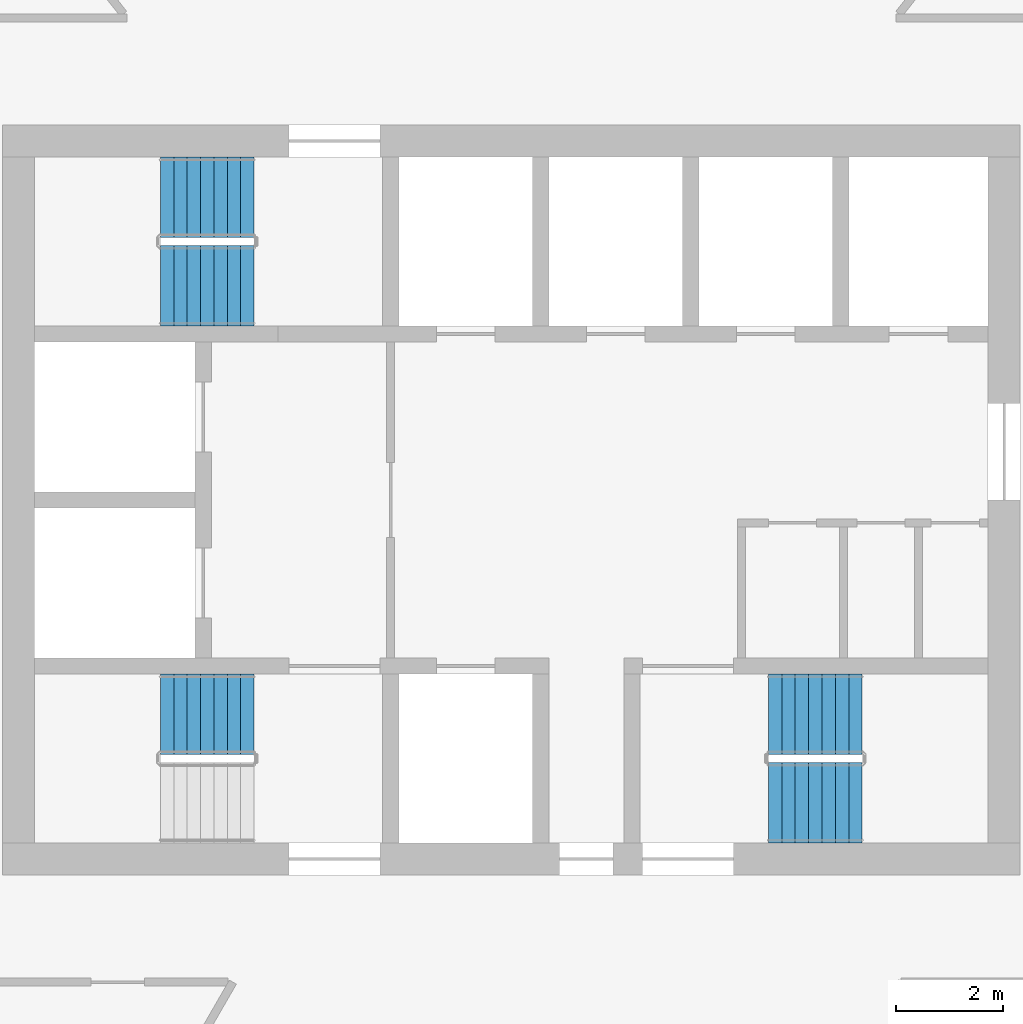
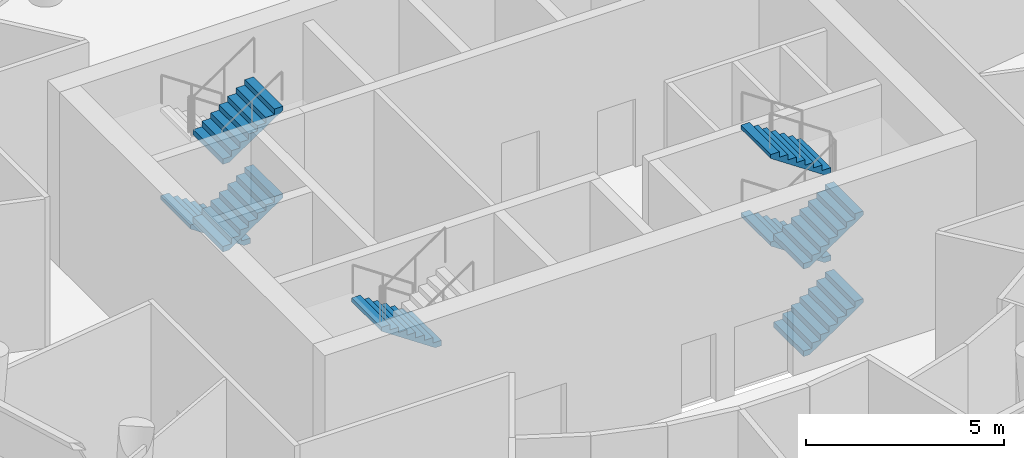
# One storey, part 8 of 11: 8 stair flights, 3 elements without a shape of their own.
"""IFC4 building model written with IfcOpenShell, lengths in metres."""

from ifc_helpers import new_model, si_unit, direction, frame, origin, place, context, subcontext, project, spatial, polyline, outline, extrude, material, type_object, element, aggregate, save


model = new_model("IFC4")

# Units and contexts
model_context = context("Model", 3, precision=1e-05, world=origin(), true_north=direction((0.0, 1.0)))
body_context = subcontext(model_context, "Body", "Model", "MODEL_VIEW")
ifc_project = project(units=[si_unit("LENGTHUNIT", "METRE"), si_unit("AREAUNIT", "SQUARE_METRE"), si_unit("VOLUMEUNIT", "CUBIC_METRE"), si_unit("PLANEANGLEUNIT", "RADIAN"), si_unit("MASSUNIT", "GRAM", prefix="KILO")], contexts=[model_context])

# Site, building, storey
site_placement = place(None, origin())
site = spatial("IfcSite", under=ifc_project, at=site_placement, CompositionType="ELEMENT")
building_placement = place(site_placement, origin())
building = spatial("IfcBuilding", under=site, at=building_placement, Name="Tracery Tower", CompositionType="ELEMENT")
storey_placement = place(building_placement, frame((0.0, 0.0, 346.800048828125)))
storey = spatial("IfcBuildingStorey", under=building, at=storey_placement, Name="L89", CompositionType="ELEMENT", Elevation=346.800048828125)

# Stair, stair flight
ifc_material_1 = material(Name="Concrete C32/40", Category="concrete")
stair_type = type_object("IfcStairType", Name="Core stair 32 risers", PredefinedType="HALF_TURN_STAIR", material=ifc_material_1)
stair_1_placement = place(storey_placement, origin())
stair_1 = element("IfcStair", 1, at=stair_1_placement, inside=storey, type_object=stair_type, Name="L89 stair ST1", PredefinedType="HALF_TURN_STAIR")
ifc_material_2 = material(Name="Concrete C32/40", Category="concrete")
stair_flight_type = type_object("IfcStairFlightType", Name="Core stair flight 8 risers", PredefinedType="STRAIGHT", material=ifc_material_2)
stair_flight_1_placement = place(storey_placement, frame((-4.800048828125, -4.0, 2.699951171875), z_axis=(0.0, 0.0, 1.0), x_axis=(-1.0, 0.0, 0.0)))
stair_flight_1 = element("IfcStairFlight", 2, at=stair_flight_1_placement, type_object=stair_flight_type, Name="ST1 flight 3", NumberOfRisers=8, NumberOfTreads=7, PredefinedType="STRAIGHT", RiserHeight=0.16875, TreadLength=0.25, context=body_context, shape_type="SweptSolid", body=[
    extrude(outline(polyline([(0.0, 0.0), (0.0, 0.002685546875), (0.0, 0.005615234375), (0.0, 0.00830078125), (0.0, 0.010986328125), (0.0, 0.013916015625), (0.0, 0.0166015625), (0.0, 0.019287109375), (0.0, 0.022216796875), (0.0, 0.02490234375), (0.0, 0.027587890625), (0.0, 0.030517578125), (0.0, 0.033203125), (0.0, 0.035888671875), (0.0, 0.038818359375), (0.0, 0.04150390625), (0.0, 0.044189453125), (0.0, 0.047119140625), (0.0, 0.0498046875), (0.0, 0.052490234375), (0.0, 0.055419921875), (0.0, 0.05810546875), (0.0, 0.060791015625), (0.0, 0.063720703125), (0.0, 0.06640625), (0.0, 0.069091796875), (0.0, 0.072021484375), (0.0, 0.07470703125), (0.0, 0.077392578125), (0.0, 0.080322265625), (0.0, 0.0830078125), (0.0, 0.085693359375), (0.0, 0.088623046875), (0.0, 0.09130859375), (0.0, 0.093994140625), (0.0, 0.096923828125), (0.0, 0.099609375), (0.0, 0.102294921875), (0.0, 0.105224609375), (0.0, 0.10791015625), (0.0, 0.110595703125), (0.0, 0.113525390625), (0.0, 0.1162109375), (0.0, 0.118896484375), (0.0, 0.121826171875), (0.0, 0.12451171875), (0.0, 0.127197265625), (0.0, 0.130126953125), (0.0, 0.1328125), (0.0, 0.135498046875), (0.0, 0.138427734375), (0.0, 0.14111328125), (0.0, 0.143798828125), (0.0, 0.146728515625), (0.0, 0.1494140625), (0.0, 0.152099609375), (0.0, 0.155029296875), (0.0, 0.15771484375), (0.0, 0.160400390625), (0.0, 0.163330078125), (0.0, 0.166015625), (0.0, 0.168701171875), (0.25, 0.168701171875), (0.25, 0.33740234375), (0.5, 0.33740234375), (0.5, 0.50634765625), (0.75, 0.50634765625), (0.75, 0.675048828125), (1.0, 0.675048828125), (1.0, 0.84375), (1.25, 0.84375), (1.25, 1.012451171875), (1.5, 1.012451171875), (1.5, 1.18115234375), (1.75, 1.18115234375), (1.75, 1.17919921875), (1.75, 1.17724609375), (1.75, 1.17529296875), (1.75, 1.17333984375), (1.75, 1.17138671875), (1.75, 1.16943359375), (1.75, 1.16748046875), (1.75, 1.16552734375), (1.75, 1.163330078125), (1.75, 1.161376953125), (1.75, 1.159423828125), (1.75, 1.157470703125), (1.75, 1.155517578125), (1.75, 1.153564453125), (1.75, 1.151611328125), (1.75, 1.149658203125), (1.75, 1.147705078125), (1.75, 1.1455078125), (1.75, 1.1435546875), (1.75, 1.1416015625), (1.75, 1.1396484375), (1.75, 1.1376953125), (1.75, 1.1357421875), (1.75, 1.1337890625), (1.75, 1.1318359375), (1.75, 1.1298828125), (1.75, 1.127685546875), (1.75, 1.125732421875), (1.75, 1.123779296875), (1.75, 1.121826171875), (1.75, 1.119873046875), (1.75, 1.117919921875), (1.75, 1.115966796875), (1.75, 1.114013671875), (1.75, 1.112060546875), (1.75, 1.10986328125), (1.75, 1.10791015625), (1.75, 1.10595703125), (1.75, 1.10400390625), (1.75, 1.10205078125), (1.75, 1.10009765625), (1.75, 1.09814453125), (1.75, 1.09619140625), (1.75, 1.09423828125), (1.75, 1.092041015625), (1.75, 1.090087890625), (1.75, 1.088134765625), (1.75, 1.086181640625), (1.75, 1.084228515625), (1.75, 1.082275390625), (1.75, 1.080322265625), (1.75, 1.078369140625), (1.75, 1.076416015625), (1.75, 1.074462890625), (1.75, 1.072265625), (1.75, 1.0703125), (1.75, 1.068359375), (1.75, 1.06640625), (1.75, 1.064453125), (1.75, 1.0625), (1.75, 1.060546875), (0.178955078125, 0.0), (0.0, 0.0)])), frame((0.0, 0.75, 0.0), z_axis=(0.0, -1.0, 0.0), x_axis=(1.0, 0.0, 0.0)), (0.0, 0.0, 1.0), 1.5),
])
aggregate(stair_1, [stair_flight_1])

# Stair, stair flights
stair_2_placement = place(storey_placement, origin())
stair_2 = element("IfcStair", 3, at=stair_2_placement, inside=storey, type_object=stair_type, Name="L89 stair ST3", PredefinedType="HALF_TURN_STAIR")
stair_flight_2_placement = place(storey_placement, frame((-4.800048828125, 5.64990234375, 0.0), z_axis=(0.0, 0.0, 1.0), x_axis=(-1.0, 0.0, 0.0)))
stair_flight_2 = element("IfcStairFlight", 4, at=stair_flight_2_placement, type_object=stair_flight_type, Name="ST3 flight 1", NumberOfRisers=8, NumberOfTreads=7, PredefinedType="STRAIGHT", RiserHeight=0.16875, TreadLength=0.25, context=body_context, shape_type="SweptSolid", body=[
    extrude(outline(polyline([(0.0, 0.0), (0.0, 0.002685546875), (0.0, 0.005615234375), (0.0, 0.00830078125), (0.0, 0.010986328125), (0.0, 0.013916015625), (0.0, 0.0166015625), (0.0, 0.019287109375), (0.0, 0.022216796875), (0.0, 0.02490234375), (0.0, 0.027587890625), (0.0, 0.030517578125), (0.0, 0.033203125), (0.0, 0.035888671875), (0.0, 0.038818359375), (0.0, 0.04150390625), (0.0, 0.044189453125), (0.0, 0.047119140625), (0.0, 0.0498046875), (0.0, 0.052490234375), (0.0, 0.055419921875), (0.0, 0.05810546875), (0.0, 0.060791015625), (0.0, 0.063720703125), (0.0, 0.06640625), (0.0, 0.069091796875), (0.0, 0.072021484375), (0.0, 0.07470703125), (0.0, 0.077392578125), (0.0, 0.080322265625), (0.0, 0.0830078125), (0.0, 0.085693359375), (0.0, 0.088623046875), (0.0, 0.09130859375), (0.0, 0.093994140625), (0.0, 0.096923828125), (0.0, 0.099609375), (0.0, 0.102294921875), (0.0, 0.105224609375), (0.0, 0.10791015625), (0.0, 0.110595703125), (0.0, 0.113525390625), (0.0, 0.1162109375), (0.0, 0.118896484375), (0.0, 0.121826171875), (0.0, 0.12451171875), (0.0, 0.127197265625), (0.0, 0.130126953125), (0.0, 0.1328125), (0.0, 0.135498046875), (0.0, 0.138427734375), (0.0, 0.14111328125), (0.0, 0.143798828125), (0.0, 0.146728515625), (0.0, 0.1494140625), (0.0, 0.152099609375), (0.0, 0.155029296875), (0.0, 0.15771484375), (0.0, 0.160400390625), (0.0, 0.163330078125), (0.0, 0.166015625), (0.0, 0.168701171875), (0.25, 0.168701171875), (0.25, 0.33740234375), (0.5, 0.33740234375), (0.5, 0.50634765625), (0.75, 0.50634765625), (0.75, 0.675048828125), (1.0, 0.675048828125), (1.0, 0.84375), (1.25, 0.84375), (1.25, 1.012451171875), (1.5, 1.012451171875), (1.5, 1.18115234375), (1.75, 1.18115234375), (1.75, 1.17919921875), (1.75, 1.17724609375), (1.75, 1.17529296875), (1.75, 1.17333984375), (1.75, 1.17138671875), (1.75, 1.16943359375), (1.75, 1.16748046875), (1.75, 1.16552734375), (1.75, 1.163330078125), (1.75, 1.161376953125), (1.75, 1.159423828125), (1.75, 1.157470703125), (1.75, 1.155517578125), (1.75, 1.153564453125), (1.75, 1.151611328125), (1.75, 1.149658203125), (1.75, 1.147705078125), (1.75, 1.1455078125), (1.75, 1.1435546875), (1.75, 1.1416015625), (1.75, 1.1396484375), (1.75, 1.1376953125), (1.75, 1.1357421875), (1.75, 1.1337890625), (1.75, 1.1318359375), (1.75, 1.1298828125), (1.75, 1.127685546875), (1.75, 1.125732421875), (1.75, 1.123779296875), (1.75, 1.121826171875), (1.75, 1.119873046875), (1.75, 1.117919921875), (1.75, 1.115966796875), (1.75, 1.114013671875), (1.75, 1.112060546875), (1.75, 1.10986328125), (1.75, 1.10791015625), (1.75, 1.10595703125), (1.75, 1.10400390625), (1.75, 1.10205078125), (1.75, 1.10009765625), (1.75, 1.09814453125), (1.75, 1.09619140625), (1.75, 1.09423828125), (1.75, 1.092041015625), (1.75, 1.090087890625), (1.75, 1.088134765625), (1.75, 1.086181640625), (1.75, 1.084228515625), (1.75, 1.082275390625), (1.75, 1.080322265625), (1.75, 1.078369140625), (1.75, 1.076416015625), (1.75, 1.074462890625), (1.75, 1.072265625), (1.75, 1.0703125), (1.75, 1.068359375), (1.75, 1.06640625), (1.75, 1.064453125), (1.75, 1.0625), (1.75, 1.060546875), (0.178955078125, 0.0), (0.0, 0.0)])), frame((0.0, 0.75, 0.0), z_axis=(0.0, -1.0, 0.0), x_axis=(1.0, 0.0, 0.0)), (0.0, 0.0, 1.0), 1.5),
])
stair_flight_3_placement = place(storey_placement, frame((-6.550048828125, 4.0, 1.349853515625), z_axis=(0.0, 0.0, 1.0), x_axis=(1.0, 0.0, 0.0)))
stair_flight_3 = element("IfcStairFlight", 5, at=stair_flight_3_placement, type_object=stair_flight_type, Name="ST3 flight 2", NumberOfRisers=8, NumberOfTreads=7, PredefinedType="STRAIGHT", RiserHeight=0.16875, TreadLength=0.25, context=body_context, shape_type="SweptSolid", body=[
    extrude(outline(polyline([(0.0, 0.0), (0.0, 0.002685546875), (0.0, 0.005615234375), (0.0, 0.00830078125), (0.0, 0.010986328125), (0.0, 0.013916015625), (0.0, 0.0166015625), (0.0, 0.019287109375), (0.0, 0.022216796875), (0.0, 0.02490234375), (0.0, 0.027587890625), (0.0, 0.030517578125), (0.0, 0.033203125), (0.0, 0.035888671875), (0.0, 0.038818359375), (0.0, 0.04150390625), (0.0, 0.044189453125), (0.0, 0.047119140625), (0.0, 0.0498046875), (0.0, 0.052490234375), (0.0, 0.055419921875), (0.0, 0.05810546875), (0.0, 0.060791015625), (0.0, 0.063720703125), (0.0, 0.06640625), (0.0, 0.069091796875), (0.0, 0.072021484375), (0.0, 0.07470703125), (0.0, 0.077392578125), (0.0, 0.080322265625), (0.0, 0.0830078125), (0.0, 0.085693359375), (0.0, 0.088623046875), (0.0, 0.09130859375), (0.0, 0.093994140625), (0.0, 0.096923828125), (0.0, 0.099609375), (0.0, 0.102294921875), (0.0, 0.105224609375), (0.0, 0.10791015625), (0.0, 0.110595703125), (0.0, 0.113525390625), (0.0, 0.1162109375), (0.0, 0.118896484375), (0.0, 0.121826171875), (0.0, 0.12451171875), (0.0, 0.127197265625), (0.0, 0.130126953125), (0.0, 0.1328125), (0.0, 0.135498046875), (0.0, 0.138427734375), (0.0, 0.14111328125), (0.0, 0.143798828125), (0.0, 0.146728515625), (0.0, 0.1494140625), (0.0, 0.152099609375), (0.0, 0.155029296875), (0.0, 0.15771484375), (0.0, 0.160400390625), (0.0, 0.163330078125), (0.0, 0.166015625), (0.0, 0.168701171875), (0.25, 0.168701171875), (0.25, 0.33740234375), (0.5, 0.33740234375), (0.5, 0.50634765625), (0.75, 0.50634765625), (0.75, 0.675048828125), (1.0, 0.675048828125), (1.0, 0.84375), (1.25, 0.84375), (1.25, 1.012451171875), (1.5, 1.012451171875), (1.5, 1.18115234375), (1.75, 1.18115234375), (1.75, 1.17919921875), (1.75, 1.17724609375), (1.75, 1.17529296875), (1.75, 1.17333984375), (1.75, 1.17138671875), (1.75, 1.16943359375), (1.75, 1.16748046875), (1.75, 1.16552734375), (1.75, 1.163330078125), (1.75, 1.161376953125), (1.75, 1.159423828125), (1.75, 1.157470703125), (1.75, 1.155517578125), (1.75, 1.153564453125), (1.75, 1.151611328125), (1.75, 1.149658203125), (1.75, 1.147705078125), (1.75, 1.1455078125), (1.75, 1.1435546875), (1.75, 1.1416015625), (1.75, 1.1396484375), (1.75, 1.1376953125), (1.75, 1.1357421875), (1.75, 1.1337890625), (1.75, 1.1318359375), (1.75, 1.1298828125), (1.75, 1.127685546875), (1.75, 1.125732421875), (1.75, 1.123779296875), (1.75, 1.121826171875), (1.75, 1.119873046875), (1.75, 1.117919921875), (1.75, 1.115966796875), (1.75, 1.114013671875), (1.75, 1.112060546875), (1.75, 1.10986328125), (1.75, 1.10791015625), (1.75, 1.10595703125), (1.75, 1.10400390625), (1.75, 1.10205078125), (1.75, 1.10009765625), (1.75, 1.09814453125), (1.75, 1.09619140625), (1.75, 1.09423828125), (1.75, 1.092041015625), (1.75, 1.090087890625), (1.75, 1.088134765625), (1.75, 1.086181640625), (1.75, 1.084228515625), (1.75, 1.082275390625), (1.75, 1.080322265625), (1.75, 1.078369140625), (1.75, 1.076416015625), (1.75, 1.074462890625), (1.75, 1.072265625), (1.75, 1.0703125), (1.75, 1.068359375), (1.75, 1.06640625), (1.75, 1.064453125), (1.75, 1.0625), (1.75, 1.060546875), (0.178955078125, 0.0), (0.0, 0.0)])), frame((0.0, 0.75, 0.0), z_axis=(0.0, -1.0, 0.0), x_axis=(1.0, 0.0, 0.0)), (0.0, 0.0, 1.0), 1.5),
])
stair_flight_4_placement = place(storey_placement, frame((-6.550048828125, 4.0, 4.050048828125), z_axis=(0.0, 0.0, 1.0), x_axis=(1.0, 0.0, 0.0)))
stair_flight_4 = element("IfcStairFlight", 6, at=stair_flight_4_placement, type_object=stair_flight_type, Name="ST3 flight 4", NumberOfRisers=8, NumberOfTreads=7, PredefinedType="STRAIGHT", RiserHeight=0.16875, TreadLength=0.25, context=body_context, shape_type="SweptSolid", body=[
    extrude(outline(polyline([(0.0, 0.0), (0.0, 0.002685546875), (0.0, 0.005615234375), (0.0, 0.00830078125), (0.0, 0.010986328125), (0.0, 0.013916015625), (0.0, 0.0166015625), (0.0, 0.019287109375), (0.0, 0.022216796875), (0.0, 0.02490234375), (0.0, 0.027587890625), (0.0, 0.030517578125), (0.0, 0.033203125), (0.0, 0.035888671875), (0.0, 0.038818359375), (0.0, 0.04150390625), (0.0, 0.044189453125), (0.0, 0.047119140625), (0.0, 0.0498046875), (0.0, 0.052490234375), (0.0, 0.055419921875), (0.0, 0.05810546875), (0.0, 0.060791015625), (0.0, 0.063720703125), (0.0, 0.06640625), (0.0, 0.069091796875), (0.0, 0.072021484375), (0.0, 0.07470703125), (0.0, 0.077392578125), (0.0, 0.080322265625), (0.0, 0.0830078125), (0.0, 0.085693359375), (0.0, 0.088623046875), (0.0, 0.09130859375), (0.0, 0.093994140625), (0.0, 0.096923828125), (0.0, 0.099609375), (0.0, 0.102294921875), (0.0, 0.105224609375), (0.0, 0.10791015625), (0.0, 0.110595703125), (0.0, 0.113525390625), (0.0, 0.1162109375), (0.0, 0.118896484375), (0.0, 0.121826171875), (0.0, 0.12451171875), (0.0, 0.127197265625), (0.0, 0.130126953125), (0.0, 0.1328125), (0.0, 0.135498046875), (0.0, 0.138427734375), (0.0, 0.14111328125), (0.0, 0.143798828125), (0.0, 0.146728515625), (0.0, 0.1494140625), (0.0, 0.152099609375), (0.0, 0.155029296875), (0.0, 0.15771484375), (0.0, 0.160400390625), (0.0, 0.163330078125), (0.0, 0.166015625), (0.0, 0.168701171875), (0.25, 0.168701171875), (0.25, 0.33740234375), (0.5, 0.33740234375), (0.5, 0.50634765625), (0.75, 0.50634765625), (0.75, 0.675048828125), (1.0, 0.675048828125), (1.0, 0.84375), (1.25, 0.84375), (1.25, 1.012451171875), (1.5, 1.012451171875), (1.5, 1.18115234375), (1.75, 1.18115234375), (1.75, 1.17919921875), (1.75, 1.17724609375), (1.75, 1.17529296875), (1.75, 1.17333984375), (1.75, 1.17138671875), (1.75, 1.16943359375), (1.75, 1.16748046875), (1.75, 1.16552734375), (1.75, 1.163330078125), (1.75, 1.161376953125), (1.75, 1.159423828125), (1.75, 1.157470703125), (1.75, 1.155517578125), (1.75, 1.153564453125), (1.75, 1.151611328125), (1.75, 1.149658203125), (1.75, 1.147705078125), (1.75, 1.1455078125), (1.75, 1.1435546875), (1.75, 1.1416015625), (1.75, 1.1396484375), (1.75, 1.1376953125), (1.75, 1.1357421875), (1.75, 1.1337890625), (1.75, 1.1318359375), (1.75, 1.1298828125), (1.75, 1.127685546875), (1.75, 1.125732421875), (1.75, 1.123779296875), (1.75, 1.121826171875), (1.75, 1.119873046875), (1.75, 1.117919921875), (1.75, 1.115966796875), (1.75, 1.114013671875), (1.75, 1.112060546875), (1.75, 1.10986328125), (1.75, 1.10791015625), (1.75, 1.10595703125), (1.75, 1.10400390625), (1.75, 1.10205078125), (1.75, 1.10009765625), (1.75, 1.09814453125), (1.75, 1.09619140625), (1.75, 1.09423828125), (1.75, 1.092041015625), (1.75, 1.090087890625), (1.75, 1.088134765625), (1.75, 1.086181640625), (1.75, 1.084228515625), (1.75, 1.082275390625), (1.75, 1.080322265625), (1.75, 1.078369140625), (1.75, 1.076416015625), (1.75, 1.074462890625), (1.75, 1.072265625), (1.75, 1.0703125), (1.75, 1.068359375), (1.75, 1.06640625), (1.75, 1.064453125), (1.75, 1.0625), (1.75, 1.060546875), (0.178955078125, 0.0), (0.0, 0.0)])), frame((0.0, 0.75, 0.0), z_axis=(0.0, -1.0, 0.0), x_axis=(1.0, 0.0, 0.0)), (0.0, 0.0, 1.0), 1.5),
])
aggregate(stair_2, [stair_flight_2, stair_flight_3, stair_flight_4])

stair_3_placement = place(storey_placement, origin())
stair_3 = element("IfcStair", 7, at=stair_3_placement, inside=storey, type_object=stair_type, Name="L89 stair ST2", PredefinedType="HALF_TURN_STAIR")
stair_flight_5_placement = place(storey_placement, frame((4.800048828125, -5.64990234375, 0.0), z_axis=(0.0, 0.0, 1.0), x_axis=(1.0, 0.0, 0.0)))
stair_flight_5 = element("IfcStairFlight", 8, at=stair_flight_5_placement, type_object=stair_flight_type, Name="ST2 flight 1", NumberOfRisers=8, NumberOfTreads=7, PredefinedType="STRAIGHT", RiserHeight=0.16875, TreadLength=0.25, context=body_context, shape_type="SweptSolid", body=[
    extrude(outline(polyline([(0.0, 0.0), (0.0, 0.002685546875), (0.0, 0.005615234375), (0.0, 0.00830078125), (0.0, 0.010986328125), (0.0, 0.013916015625), (0.0, 0.0166015625), (0.0, 0.019287109375), (0.0, 0.022216796875), (0.0, 0.02490234375), (0.0, 0.027587890625), (0.0, 0.030517578125), (0.0, 0.033203125), (0.0, 0.035888671875), (0.0, 0.038818359375), (0.0, 0.04150390625), (0.0, 0.044189453125), (0.0, 0.047119140625), (0.0, 0.0498046875), (0.0, 0.052490234375), (0.0, 0.055419921875), (0.0, 0.05810546875), (0.0, 0.060791015625), (0.0, 0.063720703125), (0.0, 0.06640625), (0.0, 0.069091796875), (0.0, 0.072021484375), (0.0, 0.07470703125), (0.0, 0.077392578125), (0.0, 0.080322265625), (0.0, 0.0830078125), (0.0, 0.085693359375), (0.0, 0.088623046875), (0.0, 0.09130859375), (0.0, 0.093994140625), (0.0, 0.096923828125), (0.0, 0.099609375), (0.0, 0.102294921875), (0.0, 0.105224609375), (0.0, 0.10791015625), (0.0, 0.110595703125), (0.0, 0.113525390625), (0.0, 0.1162109375), (0.0, 0.118896484375), (0.0, 0.121826171875), (0.0, 0.12451171875), (0.0, 0.127197265625), (0.0, 0.130126953125), (0.0, 0.1328125), (0.0, 0.135498046875), (0.0, 0.138427734375), (0.0, 0.14111328125), (0.0, 0.143798828125), (0.0, 0.146728515625), (0.0, 0.1494140625), (0.0, 0.152099609375), (0.0, 0.155029296875), (0.0, 0.15771484375), (0.0, 0.160400390625), (0.0, 0.163330078125), (0.0, 0.166015625), (0.0, 0.168701171875), (0.25, 0.168701171875), (0.25, 0.33740234375), (0.5, 0.33740234375), (0.5, 0.50634765625), (0.75, 0.50634765625), (0.75, 0.675048828125), (1.0, 0.675048828125), (1.0, 0.84375), (1.25, 0.84375), (1.25, 1.012451171875), (1.5, 1.012451171875), (1.5, 1.18115234375), (1.75, 1.18115234375), (1.75, 1.17919921875), (1.75, 1.17724609375), (1.75, 1.17529296875), (1.75, 1.17333984375), (1.75, 1.17138671875), (1.75, 1.16943359375), (1.75, 1.16748046875), (1.75, 1.16552734375), (1.75, 1.163330078125), (1.75, 1.161376953125), (1.75, 1.159423828125), (1.75, 1.157470703125), (1.75, 1.155517578125), (1.75, 1.153564453125), (1.75, 1.151611328125), (1.75, 1.149658203125), (1.75, 1.147705078125), (1.75, 1.1455078125), (1.75, 1.1435546875), (1.75, 1.1416015625), (1.75, 1.1396484375), (1.75, 1.1376953125), (1.75, 1.1357421875), (1.75, 1.1337890625), (1.75, 1.1318359375), (1.75, 1.1298828125), (1.75, 1.127685546875), (1.75, 1.125732421875), (1.75, 1.123779296875), (1.75, 1.121826171875), (1.75, 1.119873046875), (1.75, 1.117919921875), (1.75, 1.115966796875), (1.75, 1.114013671875), (1.75, 1.112060546875), (1.75, 1.10986328125), (1.75, 1.10791015625), (1.75, 1.10595703125), (1.75, 1.10400390625), (1.75, 1.10205078125), (1.75, 1.10009765625), (1.75, 1.09814453125), (1.75, 1.09619140625), (1.75, 1.09423828125), (1.75, 1.092041015625), (1.75, 1.090087890625), (1.75, 1.088134765625), (1.75, 1.086181640625), (1.75, 1.084228515625), (1.75, 1.082275390625), (1.75, 1.080322265625), (1.75, 1.078369140625), (1.75, 1.076416015625), (1.75, 1.074462890625), (1.75, 1.072265625), (1.75, 1.0703125), (1.75, 1.068359375), (1.75, 1.06640625), (1.75, 1.064453125), (1.75, 1.0625), (1.75, 1.060546875), (0.178955078125, 0.0), (0.0, 0.0)])), frame((0.0, 0.75, 0.0), z_axis=(0.0, -1.0, 0.0), x_axis=(1.0, 0.0, 0.0)), (0.0, 0.0, 1.0), 1.5),
])
stair_flight_6_placement = place(storey_placement, frame((6.550048828125, -4.0, 1.349853515625), z_axis=(0.0, 0.0, 1.0), x_axis=(-1.0, 0.0, 0.0)))
stair_flight_6 = element("IfcStairFlight", 9, at=stair_flight_6_placement, type_object=stair_flight_type, Name="ST2 flight 2", NumberOfRisers=8, NumberOfTreads=7, PredefinedType="STRAIGHT", RiserHeight=0.16875, TreadLength=0.25, context=body_context, shape_type="SweptSolid", body=[
    extrude(outline(polyline([(0.0, 0.0), (0.0, 0.002685546875), (0.0, 0.005615234375), (0.0, 0.00830078125), (0.0, 0.010986328125), (0.0, 0.013916015625), (0.0, 0.0166015625), (0.0, 0.019287109375), (0.0, 0.022216796875), (0.0, 0.02490234375), (0.0, 0.027587890625), (0.0, 0.030517578125), (0.0, 0.033203125), (0.0, 0.035888671875), (0.0, 0.038818359375), (0.0, 0.04150390625), (0.0, 0.044189453125), (0.0, 0.047119140625), (0.0, 0.0498046875), (0.0, 0.052490234375), (0.0, 0.055419921875), (0.0, 0.05810546875), (0.0, 0.060791015625), (0.0, 0.063720703125), (0.0, 0.06640625), (0.0, 0.069091796875), (0.0, 0.072021484375), (0.0, 0.07470703125), (0.0, 0.077392578125), (0.0, 0.080322265625), (0.0, 0.0830078125), (0.0, 0.085693359375), (0.0, 0.088623046875), (0.0, 0.09130859375), (0.0, 0.093994140625), (0.0, 0.096923828125), (0.0, 0.099609375), (0.0, 0.102294921875), (0.0, 0.105224609375), (0.0, 0.10791015625), (0.0, 0.110595703125), (0.0, 0.113525390625), (0.0, 0.1162109375), (0.0, 0.118896484375), (0.0, 0.121826171875), (0.0, 0.12451171875), (0.0, 0.127197265625), (0.0, 0.130126953125), (0.0, 0.1328125), (0.0, 0.135498046875), (0.0, 0.138427734375), (0.0, 0.14111328125), (0.0, 0.143798828125), (0.0, 0.146728515625), (0.0, 0.1494140625), (0.0, 0.152099609375), (0.0, 0.155029296875), (0.0, 0.15771484375), (0.0, 0.160400390625), (0.0, 0.163330078125), (0.0, 0.166015625), (0.0, 0.168701171875), (0.25, 0.168701171875), (0.25, 0.33740234375), (0.5, 0.33740234375), (0.5, 0.50634765625), (0.75, 0.50634765625), (0.75, 0.675048828125), (1.0, 0.675048828125), (1.0, 0.84375), (1.25, 0.84375), (1.25, 1.012451171875), (1.5, 1.012451171875), (1.5, 1.18115234375), (1.75, 1.18115234375), (1.75, 1.17919921875), (1.75, 1.17724609375), (1.75, 1.17529296875), (1.75, 1.17333984375), (1.75, 1.17138671875), (1.75, 1.16943359375), (1.75, 1.16748046875), (1.75, 1.16552734375), (1.75, 1.163330078125), (1.75, 1.161376953125), (1.75, 1.159423828125), (1.75, 1.157470703125), (1.75, 1.155517578125), (1.75, 1.153564453125), (1.75, 1.151611328125), (1.75, 1.149658203125), (1.75, 1.147705078125), (1.75, 1.1455078125), (1.75, 1.1435546875), (1.75, 1.1416015625), (1.75, 1.1396484375), (1.75, 1.1376953125), (1.75, 1.1357421875), (1.75, 1.1337890625), (1.75, 1.1318359375), (1.75, 1.1298828125), (1.75, 1.127685546875), (1.75, 1.125732421875), (1.75, 1.123779296875), (1.75, 1.121826171875), (1.75, 1.119873046875), (1.75, 1.117919921875), (1.75, 1.115966796875), (1.75, 1.114013671875), (1.75, 1.112060546875), (1.75, 1.10986328125), (1.75, 1.10791015625), (1.75, 1.10595703125), (1.75, 1.10400390625), (1.75, 1.10205078125), (1.75, 1.10009765625), (1.75, 1.09814453125), (1.75, 1.09619140625), (1.75, 1.09423828125), (1.75, 1.092041015625), (1.75, 1.090087890625), (1.75, 1.088134765625), (1.75, 1.086181640625), (1.75, 1.084228515625), (1.75, 1.082275390625), (1.75, 1.080322265625), (1.75, 1.078369140625), (1.75, 1.076416015625), (1.75, 1.074462890625), (1.75, 1.072265625), (1.75, 1.0703125), (1.75, 1.068359375), (1.75, 1.06640625), (1.75, 1.064453125), (1.75, 1.0625), (1.75, 1.060546875), (0.178955078125, 0.0), (0.0, 0.0)])), frame((0.0, 0.75, 0.0), z_axis=(0.0, -1.0, 0.0), x_axis=(1.0, 0.0, 0.0)), (0.0, 0.0, 1.0), 1.5),
])
stair_flight_7_placement = place(storey_placement, frame((4.800048828125, -5.64990234375, 2.699951171875), z_axis=(0.0, 0.0, 1.0), x_axis=(1.0, 0.0, 0.0)))
stair_flight_7 = element("IfcStairFlight", 10, at=stair_flight_7_placement, type_object=stair_flight_type, Name="ST2 flight 3", NumberOfRisers=8, NumberOfTreads=7, PredefinedType="STRAIGHT", RiserHeight=0.16875, TreadLength=0.25, context=body_context, shape_type="SweptSolid", body=[
    extrude(outline(polyline([(0.0, 0.0), (0.0, 0.002685546875), (0.0, 0.005615234375), (0.0, 0.00830078125), (0.0, 0.010986328125), (0.0, 0.013916015625), (0.0, 0.0166015625), (0.0, 0.019287109375), (0.0, 0.022216796875), (0.0, 0.02490234375), (0.0, 0.027587890625), (0.0, 0.030517578125), (0.0, 0.033203125), (0.0, 0.035888671875), (0.0, 0.038818359375), (0.0, 0.04150390625), (0.0, 0.044189453125), (0.0, 0.047119140625), (0.0, 0.0498046875), (0.0, 0.052490234375), (0.0, 0.055419921875), (0.0, 0.05810546875), (0.0, 0.060791015625), (0.0, 0.063720703125), (0.0, 0.06640625), (0.0, 0.069091796875), (0.0, 0.072021484375), (0.0, 0.07470703125), (0.0, 0.077392578125), (0.0, 0.080322265625), (0.0, 0.0830078125), (0.0, 0.085693359375), (0.0, 0.088623046875), (0.0, 0.09130859375), (0.0, 0.093994140625), (0.0, 0.096923828125), (0.0, 0.099609375), (0.0, 0.102294921875), (0.0, 0.105224609375), (0.0, 0.10791015625), (0.0, 0.110595703125), (0.0, 0.113525390625), (0.0, 0.1162109375), (0.0, 0.118896484375), (0.0, 0.121826171875), (0.0, 0.12451171875), (0.0, 0.127197265625), (0.0, 0.130126953125), (0.0, 0.1328125), (0.0, 0.135498046875), (0.0, 0.138427734375), (0.0, 0.14111328125), (0.0, 0.143798828125), (0.0, 0.146728515625), (0.0, 0.1494140625), (0.0, 0.152099609375), (0.0, 0.155029296875), (0.0, 0.15771484375), (0.0, 0.160400390625), (0.0, 0.163330078125), (0.0, 0.166015625), (0.0, 0.168701171875), (0.25, 0.168701171875), (0.25, 0.33740234375), (0.5, 0.33740234375), (0.5, 0.50634765625), (0.75, 0.50634765625), (0.75, 0.675048828125), (1.0, 0.675048828125), (1.0, 0.84375), (1.25, 0.84375), (1.25, 1.012451171875), (1.5, 1.012451171875), (1.5, 1.18115234375), (1.75, 1.18115234375), (1.75, 1.17919921875), (1.75, 1.17724609375), (1.75, 1.17529296875), (1.75, 1.17333984375), (1.75, 1.17138671875), (1.75, 1.16943359375), (1.75, 1.16748046875), (1.75, 1.16552734375), (1.75, 1.163330078125), (1.75, 1.161376953125), (1.75, 1.159423828125), (1.75, 1.157470703125), (1.75, 1.155517578125), (1.75, 1.153564453125), (1.75, 1.151611328125), (1.75, 1.149658203125), (1.75, 1.147705078125), (1.75, 1.1455078125), (1.75, 1.1435546875), (1.75, 1.1416015625), (1.75, 1.1396484375), (1.75, 1.1376953125), (1.75, 1.1357421875), (1.75, 1.1337890625), (1.75, 1.1318359375), (1.75, 1.1298828125), (1.75, 1.127685546875), (1.75, 1.125732421875), (1.75, 1.123779296875), (1.75, 1.121826171875), (1.75, 1.119873046875), (1.75, 1.117919921875), (1.75, 1.115966796875), (1.75, 1.114013671875), (1.75, 1.112060546875), (1.75, 1.10986328125), (1.75, 1.10791015625), (1.75, 1.10595703125), (1.75, 1.10400390625), (1.75, 1.10205078125), (1.75, 1.10009765625), (1.75, 1.09814453125), (1.75, 1.09619140625), (1.75, 1.09423828125), (1.75, 1.092041015625), (1.75, 1.090087890625), (1.75, 1.088134765625), (1.75, 1.086181640625), (1.75, 1.084228515625), (1.75, 1.082275390625), (1.75, 1.080322265625), (1.75, 1.078369140625), (1.75, 1.076416015625), (1.75, 1.074462890625), (1.75, 1.072265625), (1.75, 1.0703125), (1.75, 1.068359375), (1.75, 1.06640625), (1.75, 1.064453125), (1.75, 1.0625), (1.75, 1.060546875), (0.178955078125, 0.0), (0.0, 0.0)])), frame((0.0, 0.75, 0.0), z_axis=(0.0, -1.0, 0.0), x_axis=(1.0, 0.0, 0.0)), (0.0, 0.0, 1.0), 1.5),
])
stair_flight_8_placement = place(storey_placement, frame((6.550048828125, -4.0, 4.050048828125), z_axis=(0.0, 0.0, 1.0), x_axis=(-1.0, 0.0, 0.0)))
stair_flight_8 = element("IfcStairFlight", 11, at=stair_flight_8_placement, type_object=stair_flight_type, Name="ST2 flight 4", NumberOfRisers=8, NumberOfTreads=7, PredefinedType="STRAIGHT", RiserHeight=0.16875, TreadLength=0.25, context=body_context, shape_type="SweptSolid", body=[
    extrude(outline(polyline([(0.0, 0.0), (0.0, 0.002685546875), (0.0, 0.005615234375), (0.0, 0.00830078125), (0.0, 0.010986328125), (0.0, 0.013916015625), (0.0, 0.0166015625), (0.0, 0.019287109375), (0.0, 0.022216796875), (0.0, 0.02490234375), (0.0, 0.027587890625), (0.0, 0.030517578125), (0.0, 0.033203125), (0.0, 0.035888671875), (0.0, 0.038818359375), (0.0, 0.04150390625), (0.0, 0.044189453125), (0.0, 0.047119140625), (0.0, 0.0498046875), (0.0, 0.052490234375), (0.0, 0.055419921875), (0.0, 0.05810546875), (0.0, 0.060791015625), (0.0, 0.063720703125), (0.0, 0.06640625), (0.0, 0.069091796875), (0.0, 0.072021484375), (0.0, 0.07470703125), (0.0, 0.077392578125), (0.0, 0.080322265625), (0.0, 0.0830078125), (0.0, 0.085693359375), (0.0, 0.088623046875), (0.0, 0.09130859375), (0.0, 0.093994140625), (0.0, 0.096923828125), (0.0, 0.099609375), (0.0, 0.102294921875), (0.0, 0.105224609375), (0.0, 0.10791015625), (0.0, 0.110595703125), (0.0, 0.113525390625), (0.0, 0.1162109375), (0.0, 0.118896484375), (0.0, 0.121826171875), (0.0, 0.12451171875), (0.0, 0.127197265625), (0.0, 0.130126953125), (0.0, 0.1328125), (0.0, 0.135498046875), (0.0, 0.138427734375), (0.0, 0.14111328125), (0.0, 0.143798828125), (0.0, 0.146728515625), (0.0, 0.1494140625), (0.0, 0.152099609375), (0.0, 0.155029296875), (0.0, 0.15771484375), (0.0, 0.160400390625), (0.0, 0.163330078125), (0.0, 0.166015625), (0.0, 0.168701171875), (0.25, 0.168701171875), (0.25, 0.33740234375), (0.5, 0.33740234375), (0.5, 0.50634765625), (0.75, 0.50634765625), (0.75, 0.675048828125), (1.0, 0.675048828125), (1.0, 0.84375), (1.25, 0.84375), (1.25, 1.012451171875), (1.5, 1.012451171875), (1.5, 1.18115234375), (1.75, 1.18115234375), (1.75, 1.17919921875), (1.75, 1.17724609375), (1.75, 1.17529296875), (1.75, 1.17333984375), (1.75, 1.17138671875), (1.75, 1.16943359375), (1.75, 1.16748046875), (1.75, 1.16552734375), (1.75, 1.163330078125), (1.75, 1.161376953125), (1.75, 1.159423828125), (1.75, 1.157470703125), (1.75, 1.155517578125), (1.75, 1.153564453125), (1.75, 1.151611328125), (1.75, 1.149658203125), (1.75, 1.147705078125), (1.75, 1.1455078125), (1.75, 1.1435546875), (1.75, 1.1416015625), (1.75, 1.1396484375), (1.75, 1.1376953125), (1.75, 1.1357421875), (1.75, 1.1337890625), (1.75, 1.1318359375), (1.75, 1.1298828125), (1.75, 1.127685546875), (1.75, 1.125732421875), (1.75, 1.123779296875), (1.75, 1.121826171875), (1.75, 1.119873046875), (1.75, 1.117919921875), (1.75, 1.115966796875), (1.75, 1.114013671875), (1.75, 1.112060546875), (1.75, 1.10986328125), (1.75, 1.10791015625), (1.75, 1.10595703125), (1.75, 1.10400390625), (1.75, 1.10205078125), (1.75, 1.10009765625), (1.75, 1.09814453125), (1.75, 1.09619140625), (1.75, 1.09423828125), (1.75, 1.092041015625), (1.75, 1.090087890625), (1.75, 1.088134765625), (1.75, 1.086181640625), (1.75, 1.084228515625), (1.75, 1.082275390625), (1.75, 1.080322265625), (1.75, 1.078369140625), (1.75, 1.076416015625), (1.75, 1.074462890625), (1.75, 1.072265625), (1.75, 1.0703125), (1.75, 1.068359375), (1.75, 1.06640625), (1.75, 1.064453125), (1.75, 1.0625), (1.75, 1.060546875), (0.178955078125, 0.0), (0.0, 0.0)])), frame((0.0, 0.75, 0.0), z_axis=(0.0, -1.0, 0.0), x_axis=(1.0, 0.0, 0.0)), (0.0, 0.0, 1.0), 1.5),
])
aggregate(stair_3, [stair_flight_5, stair_flight_6, stair_flight_7, stair_flight_8])

save(model, "model.ifc")
